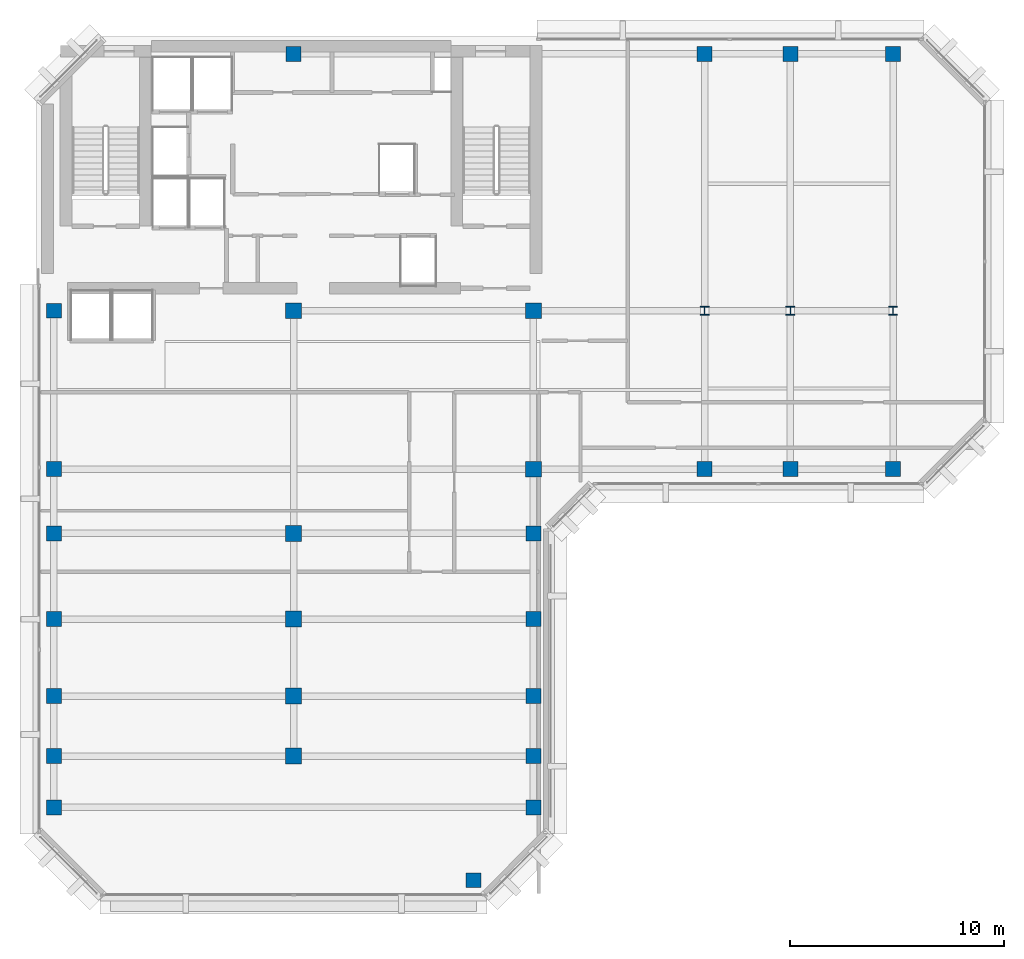
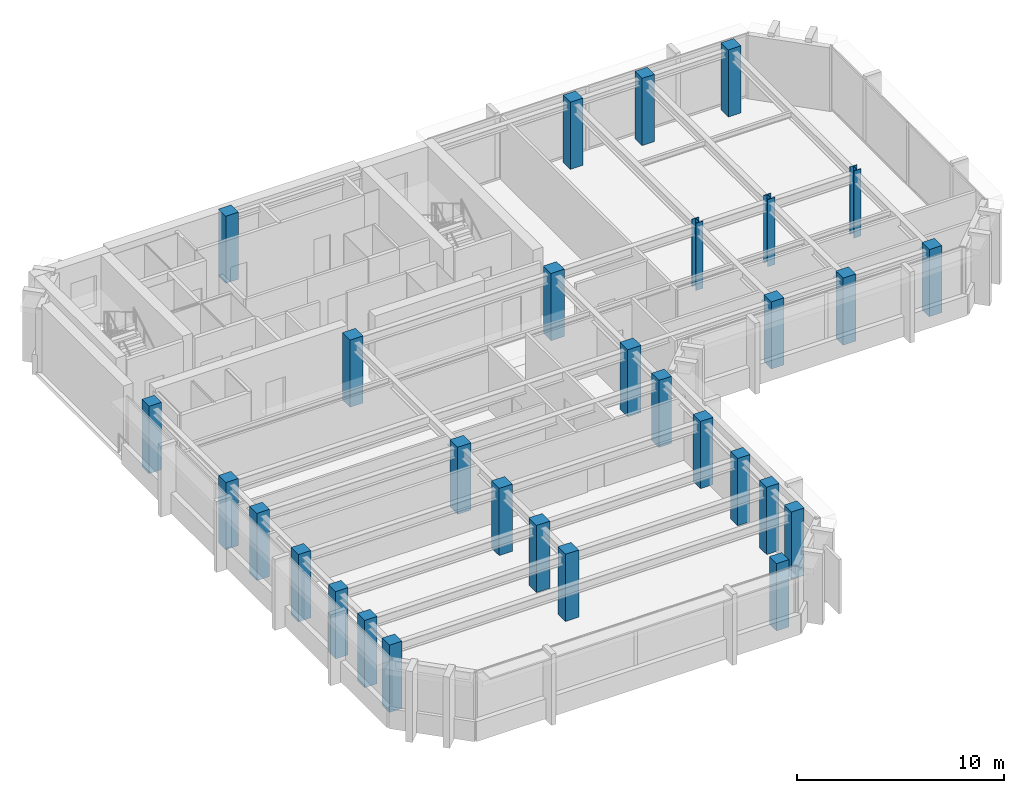
# One storey, part 1 of 11: 30 columns.
"""IFC4 building model written with IfcOpenShell, lengths in metres."""

from ifc_helpers import new_model, si_unit, direction, frame, origin, origin_2d, place, context, subcontext, project, spatial, rectangle, i_section, extrude, material, material_profile, profile_set, type_object, element, save


model = new_model("IFC4")

# Units and contexts
model_context = context("Model", 3, precision=1e-05, world=origin(), true_north=direction((0.0, 1.0)))
body_context = subcontext(model_context, "Body", "Model", "MODEL_VIEW")
ifc_project = project(units=[si_unit("LENGTHUNIT", "METRE"), si_unit("AREAUNIT", "SQUARE_METRE"), si_unit("VOLUMEUNIT", "CUBIC_METRE"), si_unit("PLANEANGLEUNIT", "RADIAN"), si_unit("MASSUNIT", "GRAM", prefix="KILO")], contexts=[model_context])

# Site, building, storey
site_placement = place(None, origin())
site = spatial("IfcSite", under=ifc_project, at=site_placement, CompositionType="ELEMENT")
building_placement = place(site_placement, origin())
building = spatial("IfcBuilding", under=site, at=building_placement, Name="Kefirva Bronze Tower", CompositionType="ELEMENT")
storey_placement = place(building_placement, frame((0.0, 0.0, 323.72998046875)))
storey = spatial("IfcBuildingStorey", under=building, at=storey_placement, Name="L79", CompositionType="ELEMENT", Elevation=323.72998046875)

# Columns
ifc_material_1 = material(Name="Concrete C50/60", Category="concrete")
ifc_material_profile_1 = material_profile(ifc_material_1, rectangle(XDim=0.699951171875, YDim=0.699951171875, at=origin_2d()), Name="RC 700x700")
ifc_profile_set_1 = profile_set([ifc_material_profile_1], Name="Concrete C50/60")
column_type_1 = type_object("IfcColumnType", Name="RC Column 700x700 Ext", PredefinedType="COLUMN", material=ifc_profile_set_1)
for number, where, z_axis, x_axis, name in (
    (1, (0.800048828125, 10.0, 0.0), (0.0, 0.0, 1.0), (1.0, 0.0, 0.0), "L79 Column C008_100"),
    (2, (0.800048828125, 12.39990234375, 0.0), (0.0, 0.0, 1.0), (1.0, 0.0, 0.0), "L79 Column C008_124"),
    (3, (0.800048828125, 15.199951171875, 0.0), (0.0, 0.0, 1.0), (1.0, 0.0, 0.0), "L79 Column C008_152"),
    (4, (0.800048828125, 18.800048828125, 0.0), (0.0, 0.0, 1.0), (1.0, 0.0, 0.0), "L79 Column C008_188"),
    (5, (0.800048828125, 22.800048828125, 0.0), (0.0, 0.0, 1.0), (1.0, 0.0, 0.0), "L79 Column C008_228"),
    (6, (0.800048828125, 25.800048828125, 0.0), (0.0, 0.0, 1.0), (1.0, 0.0, 0.0), "L79 Column C008_258"),
    (7, (0.800048828125, 33.199951171875, 0.0), (0.0, 0.0, 1.0), (1.0, 0.0, 0.0), "L79 Column C008_332"),
    (8, (12.0, 45.199951171875, 0.0), (0.0, 0.0, 1.0), (1.0, 0.0, 0.0), "L79 Column C120_452"),
    (9, (20.39990234375, 6.60009765625, 0.0), (0.0, 0.0, 1.0), (1.0, 0.0, 0.0), "L79 Column C204_066"),
    (10, (23.199951171875, 10.0, 0.0), (0.0, 0.0, 1.0), (1.0, 0.0, 0.0), "L79 Column C232_100"),
    (11, (23.199951171875, 12.39990234375, 0.0), (0.0, 0.0, 1.0), (1.0, 0.0, 0.0), "L79 Column C232_124"),
    (12, (23.199951171875, 15.199951171875, 0.0), (0.0, 0.0, 1.0), (1.0, 0.0, 0.0), "L79 Column C232_152"),
    (13, (23.199951171875, 18.800048828125, 0.0), (0.0, 0.0, 1.0), (1.0, 0.0, 0.0), "L79 Column C232_188"),
    (14, (23.199951171875, 22.800048828125, 0.0), (0.0, 0.0, 1.0), (1.0, 0.0, 0.0), "L79 Column C232_228"),
    (15, (31.199951171875, 25.800048828125, 0.0), (0.0, 0.0, 1.0), (1.0, 0.0, 0.0), "L79 Column C312_258"),
    (16, (31.199951171875, 45.199951171875, 0.0), (0.0, 0.0, 1.0), (1.0, 0.0, 0.0), "L79 Column C312_452"),
    (17, (35.199951171875, 25.800048828125, 0.0), (0.0, 0.0, 1.0), (1.0, 0.0, 0.0), "L79 Column C352_258"),
    (18, (35.199951171875, 45.199951171875, 0.0), (0.0, 0.0, 1.0), (1.0, 0.0, 0.0), "L79 Column C352_452"),
    (19, (40.0, 25.800048828125, 0.0), (0.0, 0.0, 1.0), (1.0, 0.0, 0.0), "L79 Column C400_258"),
    (20, (40.0, 45.199951171875, 0.0), (0.0, 0.0, 1.0), (1.0, 0.0, 0.0), "L79 Column C400_452"),
):
    element("IfcColumn", number, at=place(storey_placement, frame(where, z_axis=z_axis, x_axis=x_axis)), inside=storey, type_object=column_type_1, Name=name, PredefinedType="COLUMN", context=body_context, shape_type="SweptSolid", body=[
        extrude(rectangle(XDim=0.699951171875, YDim=0.699951171875, at=origin_2d()), origin(), (0.0, 0.0, 1.0), 3.9599609375),
    ])
ifc_material_profile_2 = material_profile(ifc_material_1, rectangle(XDim=0.739990234375, YDim=0.739990234375, at=origin_2d()), Name="RC 740x740")
ifc_profile_set_2 = profile_set([ifc_material_profile_2], Name="Concrete C50/60")
column_type_2 = type_object("IfcColumnType", Name="RC Column 740x740 Int", PredefinedType="COLUMN", material=ifc_profile_set_2)
for number, where, z_axis, x_axis, name in (
    (21, (12.0, 12.39990234375, 0.0), (0.0, 0.0, 1.0), (1.0, 0.0, 0.0), "L79 Column C120_124"),
    (22, (12.0, 15.199951171875, 0.0), (0.0, 0.0, 1.0), (1.0, 0.0, 0.0), "L79 Column C120_152"),
    (23, (12.0, 18.800048828125, 0.0), (0.0, 0.0, 1.0), (1.0, 0.0, 0.0), "L79 Column C120_188"),
    (24, (12.0, 22.800048828125, 0.0), (0.0, 0.0, 1.0), (1.0, 0.0, 0.0), "L79 Column C120_228"),
    (25, (12.0, 33.199951171875, 0.0), (0.0, 0.0, 1.0), (1.0, 0.0, 0.0), "L79 Column C120_332"),
    (26, (23.199951171875, 25.800048828125, 0.0), (0.0, 0.0, 1.0), (1.0, 0.0, 0.0), "L79 Column C232_258"),
    (27, (23.199951171875, 33.199951171875, 0.0), (0.0, 0.0, 1.0), (1.0, 0.0, 0.0), "L79 Column C232_332"),
):
    element("IfcColumn", number, at=place(storey_placement, frame(where, z_axis=z_axis, x_axis=x_axis)), inside=storey, type_object=column_type_2, Name=name, PredefinedType="COLUMN", context=body_context, shape_type="SweptSolid", body=[
        extrude(rectangle(XDim=0.739990234375, YDim=0.739990234375, at=origin_2d()), origin(), (0.0, 0.0, 1.0), 3.9599609375),
    ])
ifc_material_2 = material(Name="Steel S460", Category="steel")
ifc_material_profile_3 = material_profile(ifc_material_2, i_section(OverallWidth=0.406005859375, OverallDepth=0.416015625, WebThickness=0.02197265625, FlangeThickness=0.035888671875, at=origin_2d()), Name="HD 400x382")
ifc_profile_set_3 = profile_set([ifc_material_profile_3], Name="Steel S460")
column_type_3 = type_object("IfcColumnType", Name="Steel Column HD 400x382", PredefinedType="COLUMN", material=ifc_profile_set_3)
for number, where, z_axis, x_axis, name in (
    (28, (31.199951171875, 33.199951171875, 0.0), (0.0, 0.0, 1.0), (1.0, 0.0, 0.0), "L79 Column C312_332"),
    (29, (35.199951171875, 33.199951171875, 0.0), (0.0, 0.0, 1.0), (1.0, 0.0, 0.0), "L79 Column C352_332"),
    (30, (40.0, 33.199951171875, 0.0), (0.0, 0.0, 1.0), (1.0, 0.0, 0.0), "L79 Column C400_332"),
):
    element("IfcColumn", number, at=place(storey_placement, frame(where, z_axis=z_axis, x_axis=x_axis)), inside=storey, type_object=column_type_3, Name=name, PredefinedType="COLUMN", context=body_context, shape_type="SweptSolid", body=[
        extrude(i_section(OverallWidth=0.406005859375, OverallDepth=0.416015625, WebThickness=0.02197265625, FlangeThickness=0.035888671875, at=origin_2d()), origin(), (0.0, 0.0, 1.0), 3.9599609375),
    ])

save(model, "model.ifc")
